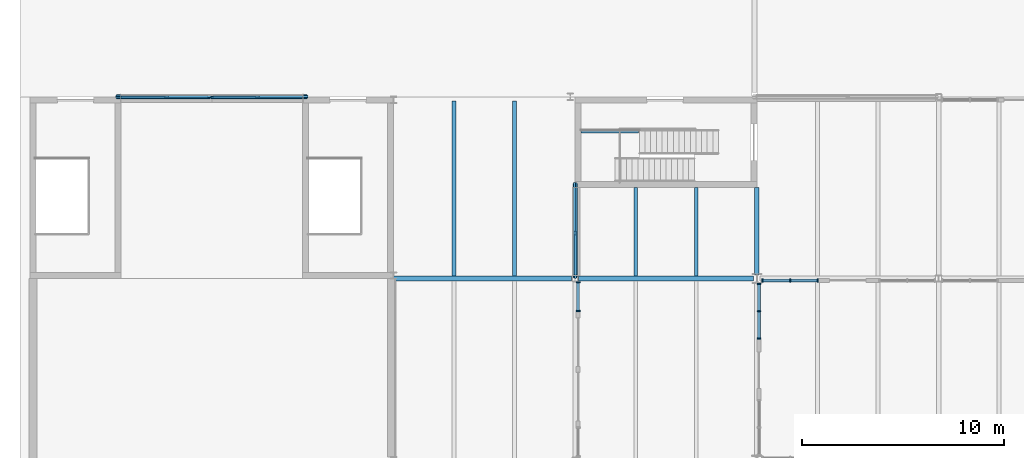
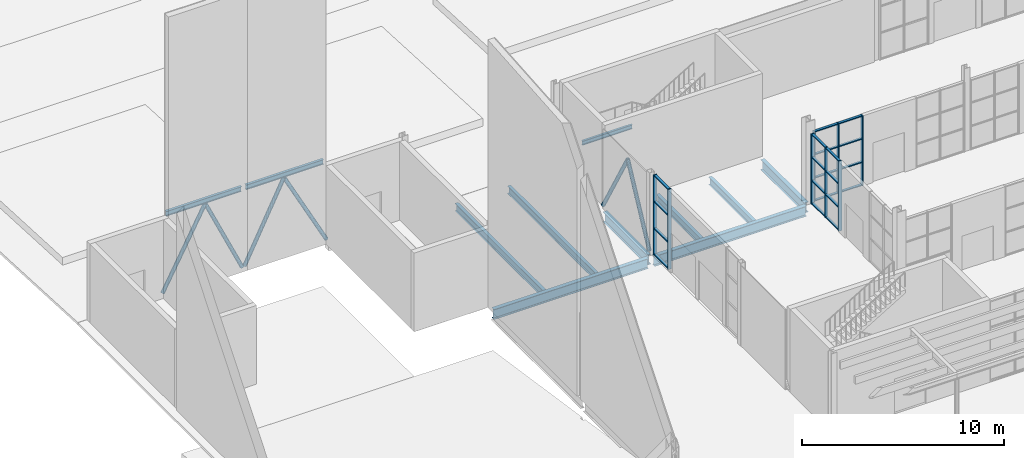
# One storey, part 17 of 63: 34 members, 11 beams, 3 elements without a shape of their own.
"""IFC4 building model written with IfcOpenShell, lengths in metres."""

from ifc_helpers import new_model, si_unit, direction, frame, origin, origin_2d, place, context, subcontext, project, spatial, rectangle, hollow_circle, i_section, extrude, material, layer, layer_set, material_profile, profile_set, type_object, element, aggregate, save


model = new_model("IFC4")

# Units and contexts
model_context = context("Model", 3, precision=1e-05, world=origin(), true_north=direction((0.0, 1.0)))
body_context = subcontext(model_context, "Body", "Model", "MODEL_VIEW")
ifc_project = project(units=[si_unit("LENGTHUNIT", "METRE"), si_unit("AREAUNIT", "SQUARE_METRE"), si_unit("VOLUMEUNIT", "CUBIC_METRE"), si_unit("PLANEANGLEUNIT", "RADIAN"), si_unit("MASSUNIT", "GRAM", prefix="KILO")], contexts=[model_context])

# Site, building, storey
site_placement = place(None, origin())
site = spatial("IfcSite", under=ifc_project, at=site_placement, CompositionType="ELEMENT")
building_placement = place(site_placement, origin())
building = spatial("IfcBuilding", under=site, at=building_placement, Name="Halyard Row Museum", CompositionType="ELEMENT")
storey_placement = place(building_placement, origin())
storey = spatial("IfcBuildingStorey", under=building, at=storey_placement, Name="L00", CompositionType="ELEMENT", Elevation=0.0)

# Members
ifc_material_1 = material(Name="Steel Grade C350L0", Category="steel")
ifc_material_profile_1 = material_profile(ifc_material_1, hollow_circle(Radius=0.109619140625, WallThickness=0.00830078125, at=origin_2d()), Name="219.1x8.2CHS")
ifc_profile_set_1 = profile_set([ifc_material_profile_1], Name="Steel Grade C350L0")
member_type_1 = type_object("IfcMemberType", Name="Brace 219.1x8.2CHS", PredefinedType="BRACE", material=ifc_profile_set_1)
member_1_placement = place(storey_placement, frame((27.0, 36.10009765625, 0.109619140625), z_axis=(0.0, 0.45363097155, 0.891189621601), x_axis=(-1.0, 0.0, 0.0)))
element("IfcMember", 1, at=member_1_placement, inside=storey, type_object=member_type_1, Name="Brace L00 X27 36-40.5 A", PredefinedType="BRACE", context=body_context, shape_type="SweptSolid", body=[
    extrude(hollow_circle(Radius=0.109619140625, WallThickness=0.00830078125, at=origin_2d()), origin(), (0.0, 0.0, 1.0), 4.7392578125),
])
member_2_placement = place(storey_placement, frame((27.0, 40.669921875, 0.109619140625), z_axis=(0.0, -0.497543779208, 0.867438866878), x_axis=(1.0, 0.0, 0.0)))
element("IfcMember", 2, at=member_2_placement, inside=storey, type_object=member_type_1, Name="Brace L00 X27 36-40.5 B", PredefinedType="BRACE", context=body_context, shape_type="SweptSolid", body=[
    extrude(hollow_circle(Radius=0.109619140625, WallThickness=0.00830078125, at=origin_2d()), origin(), (0.0, 0.0, 1.0), 4.86376953125),
])
member_3_placement = place(storey_placement, frame((4.330078125, 45.0, 0.109619140625), z_axis=(0.471539209665, 0.0, 0.881845096232), x_axis=(0.0, 1.0, 0.0)))
element("IfcMember", 3, at=member_3_placement, inside=storey, type_object=member_type_1, Name="Brace L00 Y45 4.5-9.0222 A", PredefinedType="BRACE", context=body_context, shape_type="SweptSolid", body=[
    extrude(hollow_circle(Radius=0.109619140625, WallThickness=0.00830078125, at=origin_2d()), origin(), (0.0, 0.0, 1.0), 5.1552734375),
])
member_4_placement = place(storey_placement, frame((8.85986328125, 45.0, 0.109619140625), z_axis=(-0.418740007364, 0.0, 0.908106164627), x_axis=(0.0, -1.0, 0.0)))
element("IfcMember", 4, at=member_4_placement, inside=storey, type_object=member_type_1, Name="Brace L00 Y45 4.5-9.0222 B", PredefinedType="BRACE", context=body_context, shape_type="SweptSolid", body=[
    extrude(hollow_circle(Radius=0.109619140625, WallThickness=0.00830078125, at=origin_2d()), origin(), (0.0, 0.0, 1.0), 5.012451171875),
])
member_5_placement = place(storey_placement, frame((9.009765625, 45.0, 0.109619140625), z_axis=(0.443534940686, 0.0, 0.89625708164), x_axis=(0.0, 1.0, 0.0)))
element("IfcMember", 5, at=member_5_placement, inside=storey, type_object=member_type_1, Name="Brace L00 Y45 9.0222-13.5 A", PredefinedType="BRACE", context=body_context, shape_type="SweptSolid", body=[
    extrude(hollow_circle(Radius=0.109619140625, WallThickness=0.00830078125, at=origin_2d()), origin(), (0.0, 0.0, 1.0), 5.07568359375),
])
member_6_placement = place(storey_placement, frame((13.669921875, 45.0, 0.109619140625), z_axis=(-0.468195095073, 0.0, 0.883625120144), x_axis=(0.0, -1.0, 0.0)))
element("IfcMember", 6, at=member_6_placement, inside=storey, type_object=member_type_1, Name="Brace L00 Y45 9.0222-13.5 B", PredefinedType="BRACE", context=body_context, shape_type="SweptSolid", body=[
    extrude(hollow_circle(Radius=0.109619140625, WallThickness=0.00830078125, at=origin_2d()), origin(), (0.0, 0.0, 1.0), 5.145263671875),
])

# Beams
ifc_material_2 = material(Name="Steel Grade 300", Category="steel")
ifc_material_profile_2 = material_profile(ifc_material_2, i_section(OverallWidth=0.14892578125, OverallDepth=0.298095703125, WebThickness=0.005615234375, FlangeThickness=0.008056640625, FilletRadius=0.012939453125, at=origin_2d()), Name="310UB32.0")
ifc_profile_set_2 = profile_set([ifc_material_profile_2], Name="Steel Grade 300")
beam_type_1 = type_object("IfcBeamType", Name="Bracing girt 310UB32.0", PredefinedType="BEAM", material=ifc_profile_set_2)
beam_1_placement = place(storey_placement, frame((4.5, 45.0, 4.85107421875), z_axis=(1.0, 0.0, 0.0), x_axis=(0.0, 1.0, 0.0)))
element("IfcBeam", 7, at=beam_1_placement, inside=storey, type_object=beam_type_1, Name="Auditorium girt L00 4.5-9.0222", PredefinedType="BEAM", context=body_context, shape_type="SweptSolid", body=[
    extrude(i_section(OverallWidth=0.14892578125, OverallDepth=0.298095703125, WebThickness=0.005615234375, FlangeThickness=0.008056640625, FilletRadius=0.012939453125, at=origin_2d()), origin(), (0.0, 0.0, 1.0), 4.309814453125),
])
beam_2_placement = place(storey_placement, frame((9.059814453125, 45.0, 4.85107421875), z_axis=(1.0, 0.0, 0.0), x_axis=(0.0, 1.0, 0.0)))
element("IfcBeam", 8, at=beam_2_placement, inside=storey, type_object=beam_type_1, Name="Auditorium girt L00 9.0222-13.5", PredefinedType="BEAM", context=body_context, shape_type="SweptSolid", body=[
    extrude(i_section(OverallWidth=0.14892578125, OverallDepth=0.298095703125, WebThickness=0.005615234375, FlangeThickness=0.008056640625, FilletRadius=0.012939453125, at=origin_2d()), origin(), (0.0, 0.0, 1.0), 4.440185546875),
])

# Curtain wall, members
ifc_material_3 = material(Name="Double glazed unit, low-emissivity", Category="glass")
ifc_layer_1 = layer(ifc_material_3, 0.199951171875)
ifc_layer_set_1 = layer_set([ifc_layer_1], Name="Double glazed unit, low-emissivity")
curtain_wall_type_1 = type_object("IfcCurtainWallType", Name="Curtain wall shopfront 200 deep", PredefinedType="NOTDEFINED", material=ifc_layer_set_1)
curtain_wall_1_placement = place(storey_placement, origin())
curtain_wall_1 = element("IfcCurtainWall", 9, at=curtain_wall_1_placement, inside=storey, type_object=curtain_wall_type_1, Name="Curtain wall CW011", PredefinedType="NOTDEFINED")
ifc_material_4 = material(Name="Powder-coated aluminium section", Category="aluminium")
ifc_material_profile_3 = material_profile(ifc_material_4, rectangle(XDim=0.199951171875, YDim=0.06494140625, at=origin_2d()), Name="200x65 mullion")
ifc_profile_set_3 = profile_set([ifc_material_profile_3], Name="Powder-coated aluminium section")
member_type_2 = type_object("IfcMemberType", Name="Curtain wall mullion CM1 65 x 200", PredefinedType="MULLION", material=ifc_profile_set_3)
member_7_placement = place(storey_placement, frame((27.14990234375, 35.8173828125, 0.0), z_axis=(0.0, 0.0, 1.0), x_axis=(1.0, 0.0, 0.0)))
member_7 = element("IfcMember", 10, at=member_7_placement, type_object=member_type_2, Name="CW011 mullion 1", PredefinedType="MULLION", context=body_context, shape_type="SweptSolid", body=[
    extrude(rectangle(XDim=0.199951171875, YDim=0.06494140625, at=origin_2d()), origin(), (0.0, 0.0, 1.0), 4.8349609375),
])
member_8_placement = place(storey_placement, frame((27.14990234375, 34.382568359375, 0.0), z_axis=(0.0, 0.0, 1.0), x_axis=(1.0, 0.0, 0.0)))
member_8 = element("IfcMember", 11, at=member_8_placement, type_object=member_type_2, Name="CW011 mullion 2", PredefinedType="MULLION", context=body_context, shape_type="SweptSolid", body=[
    extrude(rectangle(XDim=0.199951171875, YDim=0.06494140625, at=origin_2d()), origin(), (0.0, 0.0, 1.0), 4.8349609375),
])

ifc_material_5 = material(Name="Double glazed unit, low-emissivity", Category="glass")
ifc_layer_2 = layer(ifc_material_5, 0.179931640625)
ifc_layer_set_2 = layer_set([ifc_layer_2], Name="Double glazed unit, low-emissivity")
curtain_wall_type_2 = type_object("IfcCurtainWallType", Name="Curtain wall stick 180 deep", PredefinedType="NOTDEFINED", material=ifc_layer_set_2)
curtain_wall_2_placement = place(storey_placement, origin())
curtain_wall_2 = element("IfcCurtainWall", 12, at=curtain_wall_2_placement, inside=storey, type_object=curtain_wall_type_2, Name="Curtain wall CW127", PredefinedType="NOTDEFINED")
ifc_material_6 = material(Name="Powder-coated aluminium section", Category="aluminium")
ifc_material_profile_4 = material_profile(ifc_material_6, rectangle(XDim=0.179931640625, YDim=0.06005859375, at=origin_2d()), Name="180x60 mullion")
ifc_profile_set_4 = profile_set([ifc_material_profile_4], Name="Powder-coated aluminium section")
member_type_3 = type_object("IfcMemberType", Name="Curtain wall mullion CM2 60 x 180", PredefinedType="MULLION", material=ifc_profile_set_4)
member_9_placement = place(storey_placement, frame((36.10009765625, 33.030029296875, 0.0), z_axis=(0.0, 0.0, 1.0), x_axis=(-1.0, 0.0, 0.0)))
member_9 = element("IfcMember", 13, at=member_9_placement, type_object=member_type_3, Name="CW127 mullion 1", PredefinedType="MULLION", context=body_context, shape_type="SweptSolid", body=[
    extrude(rectangle(XDim=0.179931640625, YDim=0.06005859375, at=origin_2d()), origin(), (0.0, 0.0, 1.0), 4.22802734375),
])
member_10_placement = place(storey_placement, frame((36.10009765625, 34.3798828125, 0.0), z_axis=(0.0, 0.0, 1.0), x_axis=(-1.0, 0.0, 0.0)))
member_10 = element("IfcMember", 14, at=member_10_placement, type_object=member_type_3, Name="CW127 mullion 2", PredefinedType="MULLION", context=body_context, shape_type="SweptSolid", body=[
    extrude(rectangle(XDim=0.179931640625, YDim=0.06005859375, at=origin_2d()), origin(), (0.0, 0.0, 1.0), 4.22802734375),
])
member_11_placement = place(storey_placement, frame((36.10009765625, 35.72998046875, 0.0), z_axis=(0.0, 0.0, 1.0), x_axis=(-1.0, 0.0, 0.0)))
member_11 = element("IfcMember", 15, at=member_11_placement, type_object=member_type_3, Name="CW127 mullion 3", PredefinedType="MULLION", context=body_context, shape_type="SweptSolid", body=[
    extrude(rectangle(XDim=0.179931640625, YDim=0.06005859375, at=origin_2d()), origin(), (0.0, 0.0, 1.0), 4.22802734375),
])

curtain_wall_3_placement = place(storey_placement, origin())
curtain_wall_3 = element("IfcCurtainWall", 16, at=curtain_wall_3_placement, inside=storey, type_object=curtain_wall_type_2, Name="Curtain wall CW130", PredefinedType="NOTDEFINED")
member_12_placement = place(storey_placement, frame((36.280029296875, 35.89990234375, 0.0), z_axis=(0.0, 0.0, 1.0), x_axis=(0.0, 1.0, 0.0)))
member_12 = element("IfcMember", 17, at=member_12_placement, type_object=member_type_3, Name="CW130 mullion 1", PredefinedType="MULLION", context=body_context, shape_type="SweptSolid", body=[
    extrude(rectangle(XDim=0.179931640625, YDim=0.06005859375, at=origin_2d()), origin(), (0.0, 0.0, 1.0), 4.22802734375),
])
member_13_placement = place(storey_placement, frame((37.64892578125, 35.89990234375, 0.0), z_axis=(0.0, 0.0, 1.0), x_axis=(0.0, 1.0, 0.0)))
member_13 = element("IfcMember", 18, at=member_13_placement, type_object=member_type_3, Name="CW130 mullion 2", PredefinedType="MULLION", context=body_context, shape_type="SweptSolid", body=[
    extrude(rectangle(XDim=0.179931640625, YDim=0.06005859375, at=origin_2d()), origin(), (0.0, 0.0, 1.0), 4.22802734375),
])
member_14_placement = place(storey_placement, frame((39.017822265625, 35.89990234375, 0.0), z_axis=(0.0, 0.0, 1.0), x_axis=(0.0, 1.0, 0.0)))
member_14 = element("IfcMember", 19, at=member_14_placement, type_object=member_type_3, Name="CW130 mullion 3", PredefinedType="MULLION", context=body_context, shape_type="SweptSolid", body=[
    extrude(rectangle(XDim=0.179931640625, YDim=0.06005859375, at=origin_2d()), origin(), (0.0, 0.0, 1.0), 4.22802734375),
])

# Member
ifc_material_7 = material(Name="Powder-coated aluminium section", Category="aluminium")
ifc_material_profile_5 = material_profile(ifc_material_7, rectangle(XDim=0.14990234375, YDim=0.06494140625, at=origin_2d()), Name="150x65 transom")
ifc_profile_set_5 = profile_set([ifc_material_profile_5], Name="Powder-coated aluminium section")
member_type_4 = type_object("IfcMemberType", Name="Curtain wall transom CT1 65 x 150", PredefinedType="USERDEFINED", material=ifc_profile_set_5)
member_15_placement = place(storey_placement, frame((27.14990234375, 35.784912109375, 0.032470703125), z_axis=(0.0, -1.0, 0.0), x_axis=(1.0, 0.0, 0.0)))
member_15 = element("IfcMember", 20, at=member_15_placement, type_object=member_type_4, Name="CW011 transom 1.1", ObjectType="TRANSOM", PredefinedType="USERDEFINED", context=body_context, shape_type="SweptSolid", body=[
    extrude(rectangle(XDim=0.14990234375, YDim=0.06494140625, at=origin_2d()), origin(), (0.0, 0.0, 1.0), 1.369873046875),
])

member_16_placement = place(storey_placement, frame((27.14990234375, 35.784912109375, 1.611572265625), z_axis=(0.0, -1.0, 0.0), x_axis=(1.0, 0.0, 0.0)))
member_16 = element("IfcMember", 21, at=member_16_placement, type_object=member_type_4, Name="CW011 transom 1.2", ObjectType="TRANSOM", PredefinedType="USERDEFINED", context=body_context, shape_type="SweptSolid", body=[
    extrude(rectangle(XDim=0.14990234375, YDim=0.06494140625, at=origin_2d()), origin(), (0.0, 0.0, 1.0), 1.369873046875),
])

member_17_placement = place(storey_placement, frame((27.14990234375, 35.784912109375, 3.223388671875), z_axis=(0.0, -1.0, 0.0), x_axis=(1.0, 0.0, 0.0)))
member_17 = element("IfcMember", 22, at=member_17_placement, type_object=member_type_4, Name="CW011 transom 1.3", ObjectType="TRANSOM", PredefinedType="USERDEFINED", context=body_context, shape_type="SweptSolid", body=[
    extrude(rectangle(XDim=0.14990234375, YDim=0.06494140625, at=origin_2d()), origin(), (0.0, 0.0, 1.0), 1.369873046875),
])

member_18_placement = place(storey_placement, frame((27.14990234375, 35.784912109375, 4.802490234375), z_axis=(0.0, -1.0, 0.0), x_axis=(1.0, 0.0, 0.0)))
member_18 = element("IfcMember", 23, at=member_18_placement, type_object=member_type_4, Name="CW011 transom 1.4", ObjectType="TRANSOM", PredefinedType="USERDEFINED", context=body_context, shape_type="SweptSolid", body=[
    extrude(rectangle(XDim=0.14990234375, YDim=0.06494140625, at=origin_2d()), origin(), (0.0, 0.0, 1.0), 1.369873046875),
])

aggregate(curtain_wall_1, [member_7, member_8, member_15, member_16, member_17, member_18])

ifc_material_8 = material(Name="Powder-coated aluminium section", Category="aluminium")
ifc_material_profile_6 = material_profile(ifc_material_8, rectangle(XDim=0.139892578125, YDim=0.06005859375, at=origin_2d()), Name="140x60 transom")
ifc_profile_set_6 = profile_set([ifc_material_profile_6], Name="Powder-coated aluminium section")
member_type_5 = type_object("IfcMemberType", Name="Curtain wall transom CT2 60 x 140", PredefinedType="USERDEFINED", material=ifc_profile_set_6)
member_19_placement = place(storey_placement, frame((36.10009765625, 33.06005859375, 0.030029296875), z_axis=(0.0, 1.0, 0.0), x_axis=(-1.0, 0.0, 0.0)))
member_19 = element("IfcMember", 24, at=member_19_placement, type_object=member_type_5, Name="CW127 transom 1.1", ObjectType="TRANSOM", PredefinedType="USERDEFINED", context=body_context, shape_type="SweptSolid", body=[
    extrude(rectangle(XDim=0.139892578125, YDim=0.06005859375, at=origin_2d()), origin(), (0.0, 0.0, 1.0), 1.2900390625),
])

member_20_placement = place(storey_placement, frame((36.10009765625, 33.06005859375, 1.409423828125), z_axis=(0.0, 1.0, 0.0), x_axis=(-1.0, 0.0, 0.0)))
member_20 = element("IfcMember", 25, at=member_20_placement, type_object=member_type_5, Name="CW127 transom 1.2", ObjectType="TRANSOM", PredefinedType="USERDEFINED", context=body_context, shape_type="SweptSolid", body=[
    extrude(rectangle(XDim=0.139892578125, YDim=0.06005859375, at=origin_2d()), origin(), (0.0, 0.0, 1.0), 1.2900390625),
])

member_21_placement = place(storey_placement, frame((36.10009765625, 33.06005859375, 2.818603515625), z_axis=(0.0, 1.0, 0.0), x_axis=(-1.0, 0.0, 0.0)))
member_21 = element("IfcMember", 26, at=member_21_placement, type_object=member_type_5, Name="CW127 transom 1.3", ObjectType="TRANSOM", PredefinedType="USERDEFINED", context=body_context, shape_type="SweptSolid", body=[
    extrude(rectangle(XDim=0.139892578125, YDim=0.06005859375, at=origin_2d()), origin(), (0.0, 0.0, 1.0), 1.2900390625),
])

member_22_placement = place(storey_placement, frame((36.10009765625, 33.06005859375, 4.197998046875), z_axis=(0.0, 1.0, 0.0), x_axis=(-1.0, 0.0, 0.0)))
member_22 = element("IfcMember", 27, at=member_22_placement, type_object=member_type_5, Name="CW127 transom 1.4", ObjectType="TRANSOM", PredefinedType="USERDEFINED", context=body_context, shape_type="SweptSolid", body=[
    extrude(rectangle(XDim=0.139892578125, YDim=0.06005859375, at=origin_2d()), origin(), (0.0, 0.0, 1.0), 1.2900390625),
])

member_23_placement = place(storey_placement, frame((36.10009765625, 34.409912109375, 0.030029296875), z_axis=(0.0, 1.0, 0.0), x_axis=(-1.0, 0.0, 0.0)))
member_23 = element("IfcMember", 28, at=member_23_placement, type_object=member_type_5, Name="CW127 transom 2.1", ObjectType="TRANSOM", PredefinedType="USERDEFINED", context=body_context, shape_type="SweptSolid", body=[
    extrude(rectangle(XDim=0.139892578125, YDim=0.06005859375, at=origin_2d()), origin(), (0.0, 0.0, 1.0), 1.2900390625),
])

member_24_placement = place(storey_placement, frame((36.10009765625, 34.409912109375, 1.409423828125), z_axis=(0.0, 1.0, 0.0), x_axis=(-1.0, 0.0, 0.0)))
member_24 = element("IfcMember", 29, at=member_24_placement, type_object=member_type_5, Name="CW127 transom 2.2", ObjectType="TRANSOM", PredefinedType="USERDEFINED", context=body_context, shape_type="SweptSolid", body=[
    extrude(rectangle(XDim=0.139892578125, YDim=0.06005859375, at=origin_2d()), origin(), (0.0, 0.0, 1.0), 1.2900390625),
])

member_25_placement = place(storey_placement, frame((36.10009765625, 34.409912109375, 2.818603515625), z_axis=(0.0, 1.0, 0.0), x_axis=(-1.0, 0.0, 0.0)))
member_25 = element("IfcMember", 30, at=member_25_placement, type_object=member_type_5, Name="CW127 transom 2.3", ObjectType="TRANSOM", PredefinedType="USERDEFINED", context=body_context, shape_type="SweptSolid", body=[
    extrude(rectangle(XDim=0.139892578125, YDim=0.06005859375, at=origin_2d()), origin(), (0.0, 0.0, 1.0), 1.2900390625),
])

member_26_placement = place(storey_placement, frame((36.10009765625, 34.409912109375, 4.197998046875), z_axis=(0.0, 1.0, 0.0), x_axis=(-1.0, 0.0, 0.0)))
member_26 = element("IfcMember", 31, at=member_26_placement, type_object=member_type_5, Name="CW127 transom 2.4", ObjectType="TRANSOM", PredefinedType="USERDEFINED", context=body_context, shape_type="SweptSolid", body=[
    extrude(rectangle(XDim=0.139892578125, YDim=0.06005859375, at=origin_2d()), origin(), (0.0, 0.0, 1.0), 1.2900390625),
])

aggregate(curtain_wall_2, [member_9, member_10, member_11, member_19, member_20, member_21, member_22, member_23, member_24, member_25, member_26])

member_27_placement = place(storey_placement, frame((36.31005859375, 35.89990234375, 0.030029296875), z_axis=(1.0, 0.0, 0.0), x_axis=(0.0, 1.0, 0.0)))
member_27 = element("IfcMember", 32, at=member_27_placement, type_object=member_type_5, Name="CW130 transom 1.1", ObjectType="TRANSOM", PredefinedType="USERDEFINED", context=body_context, shape_type="SweptSolid", body=[
    extrude(rectangle(XDim=0.139892578125, YDim=0.06005859375, at=origin_2d()), origin(), (0.0, 0.0, 1.0), 1.308837890625),
])

member_28_placement = place(storey_placement, frame((36.31005859375, 35.89990234375, 1.409423828125), z_axis=(1.0, 0.0, 0.0), x_axis=(0.0, 1.0, 0.0)))
member_28 = element("IfcMember", 33, at=member_28_placement, type_object=member_type_5, Name="CW130 transom 1.2", ObjectType="TRANSOM", PredefinedType="USERDEFINED", context=body_context, shape_type="SweptSolid", body=[
    extrude(rectangle(XDim=0.139892578125, YDim=0.06005859375, at=origin_2d()), origin(), (0.0, 0.0, 1.0), 1.308837890625),
])

member_29_placement = place(storey_placement, frame((36.31005859375, 35.89990234375, 2.818603515625), z_axis=(1.0, 0.0, 0.0), x_axis=(0.0, 1.0, 0.0)))
member_29 = element("IfcMember", 34, at=member_29_placement, type_object=member_type_5, Name="CW130 transom 1.3", ObjectType="TRANSOM", PredefinedType="USERDEFINED", context=body_context, shape_type="SweptSolid", body=[
    extrude(rectangle(XDim=0.139892578125, YDim=0.06005859375, at=origin_2d()), origin(), (0.0, 0.0, 1.0), 1.308837890625),
])

member_30_placement = place(storey_placement, frame((36.31005859375, 35.89990234375, 4.197998046875), z_axis=(1.0, 0.0, 0.0), x_axis=(0.0, 1.0, 0.0)))
member_30 = element("IfcMember", 35, at=member_30_placement, type_object=member_type_5, Name="CW130 transom 1.4", ObjectType="TRANSOM", PredefinedType="USERDEFINED", context=body_context, shape_type="SweptSolid", body=[
    extrude(rectangle(XDim=0.139892578125, YDim=0.06005859375, at=origin_2d()), origin(), (0.0, 0.0, 1.0), 1.308837890625),
])

member_31_placement = place(storey_placement, frame((37.678955078125, 35.89990234375, 0.030029296875), z_axis=(1.0, 0.0, 0.0), x_axis=(0.0, 1.0, 0.0)))
member_31 = element("IfcMember", 36, at=member_31_placement, type_object=member_type_5, Name="CW130 transom 2.1", ObjectType="TRANSOM", PredefinedType="USERDEFINED", context=body_context, shape_type="SweptSolid", body=[
    extrude(rectangle(XDim=0.139892578125, YDim=0.06005859375, at=origin_2d()), origin(), (0.0, 0.0, 1.0), 1.308837890625),
])

member_32_placement = place(storey_placement, frame((37.678955078125, 35.89990234375, 1.409423828125), z_axis=(1.0, 0.0, 0.0), x_axis=(0.0, 1.0, 0.0)))
member_32 = element("IfcMember", 37, at=member_32_placement, type_object=member_type_5, Name="CW130 transom 2.2", ObjectType="TRANSOM", PredefinedType="USERDEFINED", context=body_context, shape_type="SweptSolid", body=[
    extrude(rectangle(XDim=0.139892578125, YDim=0.06005859375, at=origin_2d()), origin(), (0.0, 0.0, 1.0), 1.308837890625),
])

member_33_placement = place(storey_placement, frame((37.678955078125, 35.89990234375, 2.818603515625), z_axis=(1.0, 0.0, 0.0), x_axis=(0.0, 1.0, 0.0)))
member_33 = element("IfcMember", 38, at=member_33_placement, type_object=member_type_5, Name="CW130 transom 2.3", ObjectType="TRANSOM", PredefinedType="USERDEFINED", context=body_context, shape_type="SweptSolid", body=[
    extrude(rectangle(XDim=0.139892578125, YDim=0.06005859375, at=origin_2d()), origin(), (0.0, 0.0, 1.0), 1.308837890625),
])

member_34_placement = place(storey_placement, frame((37.678955078125, 35.89990234375, 4.197998046875), z_axis=(1.0, 0.0, 0.0), x_axis=(0.0, 1.0, 0.0)))
member_34 = element("IfcMember", 39, at=member_34_placement, type_object=member_type_5, Name="CW130 transom 2.4", ObjectType="TRANSOM", PredefinedType="USERDEFINED", context=body_context, shape_type="SweptSolid", body=[
    extrude(rectangle(XDim=0.139892578125, YDim=0.06005859375, at=origin_2d()), origin(), (0.0, 0.0, 1.0), 1.308837890625),
])

aggregate(curtain_wall_3, [member_12, member_13, member_14, member_27, member_28, member_29, member_30, member_31, member_32, member_33, member_34])

# Beams
ifc_material_9 = material(Name="Steel Grade 300", Category="steel")
ifc_material_profile_7 = material_profile(ifc_material_9, i_section(OverallWidth=0.22900390625, OverallDepth=0.611572265625, WebThickness=0.011962890625, FlangeThickness=0.01953125, FilletRadius=0.013916015625, at=origin_2d()), Name="610UB125")
ifc_profile_set_7 = profile_set([ifc_material_profile_7], Name="Steel Grade 300")
beam_type_2 = type_object("IfcBeamType", Name="Girder beam 610UB125", PredefinedType="BEAM", material=ifc_profile_set_7)
beam_3_placement = place(storey_placement, frame((18.0, 36.0, -0.470703125), z_axis=(1.0, 0.0, 0.0), x_axis=(0.0, 1.0, 0.0)))
element("IfcBeam", 40, at=beam_3_placement, inside=storey, type_object=beam_type_2, Name="Beam L00-024", PredefinedType="BEAM", context=body_context, shape_type="SweptSolid", body=[
    extrude(i_section(OverallWidth=0.22900390625, OverallDepth=0.611572265625, WebThickness=0.011962890625, FlangeThickness=0.01953125, FilletRadius=0.013916015625, at=origin_2d()), origin(), (0.0, 0.0, 1.0), 8.824951171875),
])
beam_4_placement = place(storey_placement, frame((27.175048828125, 36.0, -0.470703125), z_axis=(1.0, 0.0, 0.0), x_axis=(0.0, 1.0, 0.0)))
element("IfcBeam", 41, at=beam_4_placement, inside=storey, type_object=beam_type_2, Name="Beam L00-025", PredefinedType="BEAM", context=body_context, shape_type="SweptSolid", body=[
    extrude(i_section(OverallWidth=0.22900390625, OverallDepth=0.611572265625, WebThickness=0.011962890625, FlangeThickness=0.01953125, FilletRadius=0.013916015625, at=origin_2d()), origin(), (0.0, 0.0, 1.0), 8.66943359375),
])
beam_5_placement = place(storey_placement, frame((27.0, 36.16943359375, -0.470703125), z_axis=(0.0, 1.0, 0.0), x_axis=(-1.0, 0.0, 0.0)))
element("IfcBeam", 42, at=beam_5_placement, inside=storey, type_object=beam_type_2, Name="Beam L00-046", PredefinedType="BEAM", context=body_context, shape_type="SweptSolid", body=[
    extrude(i_section(OverallWidth=0.22900390625, OverallDepth=0.611572265625, WebThickness=0.011962890625, FlangeThickness=0.01953125, FilletRadius=0.013916015625, at=origin_2d()), origin(), (0.0, 0.0, 1.0), 4.33056640625),
])
beam_6_placement = place(storey_placement, frame((36.0, 36.16357421875, -0.470703125), z_axis=(0.0, 1.0, 0.0), x_axis=(-1.0, 0.0, 0.0)))
element("IfcBeam", 43, at=beam_6_placement, inside=storey, type_object=beam_type_2, Name="Beam L00-049", PredefinedType="BEAM", context=body_context, shape_type="SweptSolid", body=[
    extrude(i_section(OverallWidth=0.22900390625, OverallDepth=0.611572265625, WebThickness=0.011962890625, FlangeThickness=0.01953125, FilletRadius=0.013916015625, at=origin_2d()), origin(), (0.0, 0.0, 1.0), 4.33642578125),
])
ifc_material_10 = material(Name="Steel Grade 300", Category="steel")
ifc_material_profile_8 = material_profile(ifc_material_10, i_section(OverallWidth=0.1240234375, OverallDepth=0.248046875, WebThickness=0.0048828125, FlangeThickness=0.008056640625, FilletRadius=0.011962890625, at=origin_2d()), Name="250UB25.7")
ifc_profile_set_8 = profile_set([ifc_material_profile_8], Name="Steel Grade 300")
beam_type_3 = type_object("IfcBeamType", Name="Landing trimmer 250UB25.7", PredefinedType="BEAM", material=ifc_profile_set_8)
beam_7_placement = place(storey_placement, frame((27.297119140625, 43.278076171875, 2.176025390625), z_axis=(1.0, 0.0, 0.0), x_axis=(0.0, 1.0, 0.0)))
element("IfcBeam", 44, at=beam_7_placement, inside=storey, type_object=beam_type_3, Name="Landing ledger K1A L00 1", PredefinedType="BEAM", context=body_context, shape_type="SweptSolid", body=[
    extrude(i_section(OverallWidth=0.1240234375, OverallDepth=0.248046875, WebThickness=0.0048828125, FlangeThickness=0.008056640625, FilletRadius=0.011962890625, at=origin_2d()), origin(), (0.0, 0.0, 1.0), 2.832763671875),
])
ifc_material_11 = material(Name="Steel Grade 300", Category="steel")
ifc_material_profile_9 = material_profile(ifc_material_11, i_section(OverallWidth=0.18994140625, OverallDepth=0.453857421875, WebThickness=0.008544921875, FlangeThickness=0.0126953125, FilletRadius=0.011474609375, at=origin_2d()), Name="460UB67.1")
ifc_profile_set_9 = profile_set([ifc_material_profile_9], Name="Steel Grade 300")
beam_type_4 = type_object("IfcBeamType", Name="Secondary beam 460UB67.1", PredefinedType="BEAM", material=ifc_profile_set_9)
for number, where, z_axis, x_axis, name in (
    (45, (21.0, 36.114501953125, -0.391845703125), (0.0, 1.0, 0.0), (-1.0, 0.0, 0.0), "Beam L00-143"),
    (46, (24.0, 36.114501953125, -0.391845703125), (0.0, 1.0, 0.0), (-1.0, 0.0, 0.0), "Beam L00-144"),
):
    element("IfcBeam", number, at=place(storey_placement, frame(where, z_axis=z_axis, x_axis=x_axis)), inside=storey, type_object=beam_type_4, Name=name, PredefinedType="BEAM", context=body_context, shape_type="SweptSolid", body=[
        extrude(i_section(OverallWidth=0.18994140625, OverallDepth=0.453857421875, WebThickness=0.008544921875, FlangeThickness=0.0126953125, FilletRadius=0.011474609375, at=origin_2d()), origin(), (0.0, 0.0, 1.0), 8.685546875),
    ])
for number, where, z_axis, x_axis, name in (
    (47, (30.0, 36.114501953125, -0.391845703125), (0.0, 1.0, 0.0), (-1.0, 0.0, 0.0), "Beam L00-145"),
    (48, (33.0, 36.114501953125, -0.391845703125), (0.0, 1.0, 0.0), (-1.0, 0.0, 0.0), "Beam L00-146"),
):
    element("IfcBeam", number, at=place(storey_placement, frame(where, z_axis=z_axis, x_axis=x_axis)), inside=storey, type_object=beam_type_4, Name=name, PredefinedType="BEAM", context=body_context, shape_type="SweptSolid", body=[
        extrude(i_section(OverallWidth=0.18994140625, OverallDepth=0.453857421875, WebThickness=0.008544921875, FlangeThickness=0.0126953125, FilletRadius=0.011474609375, at=origin_2d()), origin(), (0.0, 0.0, 1.0), 4.385498046875),
    ])

save(model, "model.ifc")
